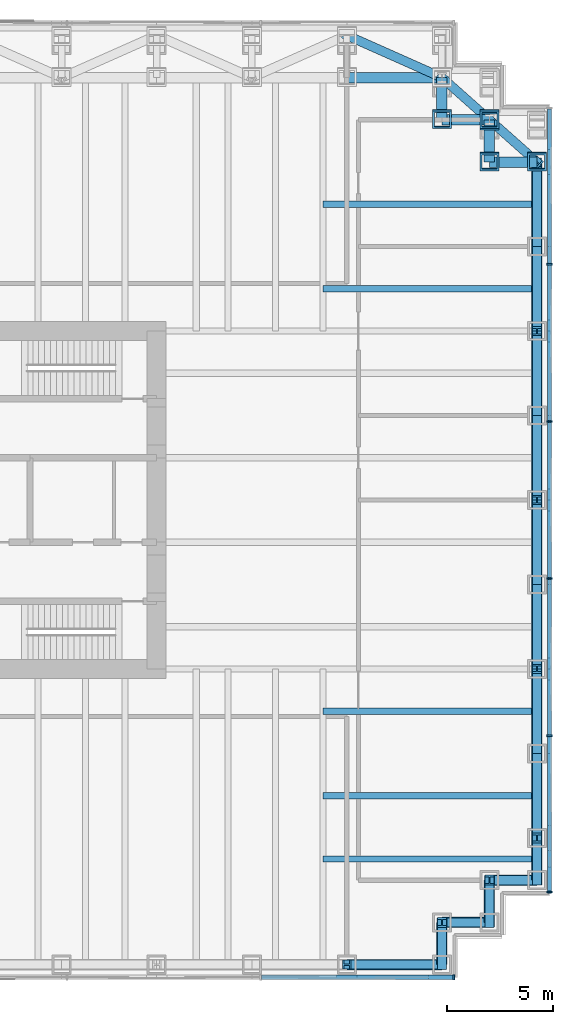
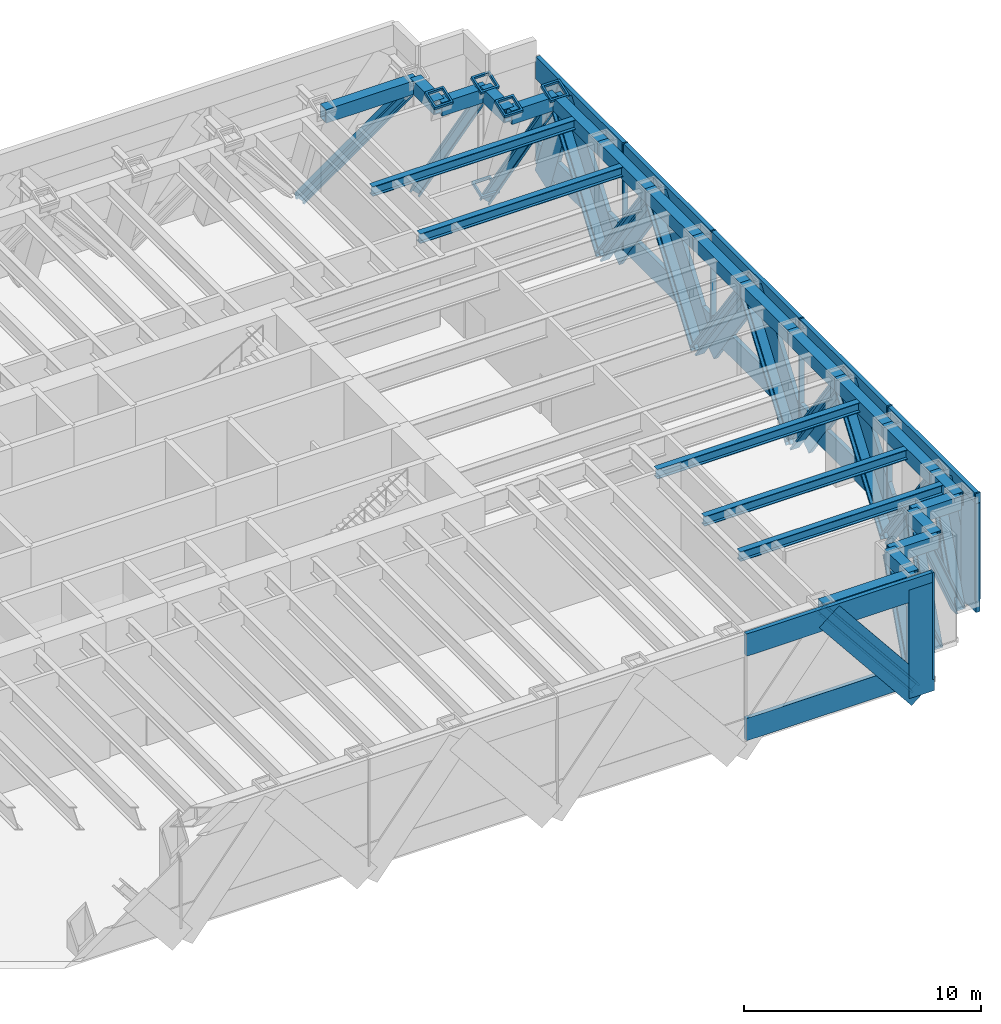
# One storey, part 8 of 16: 53 members, 24 beams, 2 elements without a shape of their own.
"""IFC4 building model written with IfcOpenShell, lengths in metres."""

from ifc_helpers import new_model, si_unit, direction, frame, origin, origin_2d, place, context, subcontext, project, spatial, rectangle, hollow_rectangle, i_section, extrude, material, material_profile, profile_set, type_object, element, aggregate, save


model = new_model("IFC4")

# Units and contexts
model_context = context("Model", 3, precision=1e-05, world=origin(), true_north=direction((0.0, 1.0)))
body_context = subcontext(model_context, "Body", "Model", "MODEL_VIEW")
ifc_project = project(units=[si_unit("LENGTHUNIT", "METRE"), si_unit("AREAUNIT", "SQUARE_METRE"), si_unit("VOLUMEUNIT", "CUBIC_METRE"), si_unit("PLANEANGLEUNIT", "RADIAN"), si_unit("MASSUNIT", "GRAM", prefix="KILO")], contexts=[model_context])

# Site, building, storey
site_placement = place(None, origin())
site = spatial("IfcSite", under=ifc_project, at=site_placement, CompositionType="ELEMENT")
building_placement = place(site_placement, origin())
building = spatial("IfcBuilding", under=site, at=building_placement, Name="Rheinbord Bourse Tower", CompositionType="ELEMENT")
storey_placement = place(building_placement, frame((0.0, 0.0, 180.300048828125)))
storey = spatial("IfcBuildingStorey", under=building, at=storey_placement, Name="L40", CompositionType="ELEMENT", Elevation=180.300048828125)

# Beams
ifc_material_1 = material(Name="Steel S460M", Category="steel")
ifc_material_profile_1 = material_profile(ifc_material_1, hollow_rectangle(XDim=0.5, YDim=0.699951171875, WallThickness=0.0400390625, at=origin_2d()), Name="BOX 700x500x40")
ifc_profile_set_1 = profile_set([ifc_material_profile_1], Name="Steel S460M")
beam_type_1 = type_object("IfcBeamType", Name="BELT CHORD BOX 700x500x40", PredefinedType="SPANDREL", material=ifc_profile_set_1)
beam_1_placement = place(storey_placement, frame((63.0, 2.0, 4.989990234375), z_axis=(1.0, 0.0, 0.0), x_axis=(0.0, 1.0, 0.0)))
element("IfcBeam", 1, at=beam_1_placement, inside=storey, type_object=beam_type_1, Name="Spandrel S-63-SE-E under L41", PredefinedType="SPANDREL", context=body_context, shape_type="SweptSolid", body=[
    extrude(hollow_rectangle(XDim=0.5, YDim=0.699951171875, WallThickness=0.0400390625, at=origin_2d()), origin(), (0.0, 0.0, 1.0), 4.5),
])
beam_2_placement = place(storey_placement, frame((67.5, 2.0, 4.989990234375), z_axis=(0.0, 1.0, 0.0), x_axis=(-1.0, 0.0, 0.0)))
element("IfcBeam", 2, at=beam_2_placement, inside=storey, type_object=beam_type_1, Name="Spandrel SE-E-SE-D under L41", PredefinedType="SPANDREL", context=body_context, shape_type="SweptSolid", body=[
    extrude(hollow_rectangle(XDim=0.5, YDim=0.699951171875, WallThickness=0.0400390625, at=origin_2d()), origin(), (0.0, 0.0, 1.0), 2.0),
])
beam_3_placement = place(storey_placement, frame((67.5, 4.0, 4.989990234375), z_axis=(1.0, 0.0, 0.0), x_axis=(0.0, 1.0, 0.0)))
element("IfcBeam", 3, at=beam_3_placement, inside=storey, type_object=beam_type_1, Name="Spandrel SE-D-SE-C under L41", PredefinedType="SPANDREL", context=body_context, shape_type="SweptSolid", body=[
    extrude(hollow_rectangle(XDim=0.5, YDim=0.699951171875, WallThickness=0.0400390625, at=origin_2d()), origin(), (0.0, 0.0, 1.0), 2.25),
])
beam_4_placement = place(storey_placement, frame((69.75, 4.0, 4.989990234375), z_axis=(0.0, 1.0, 0.0), x_axis=(-1.0, 0.0, 0.0)))
element("IfcBeam", 4, at=beam_4_placement, inside=storey, type_object=beam_type_1, Name="Spandrel SE-C-SE-B under L41", PredefinedType="SPANDREL", context=body_context, shape_type="SweptSolid", body=[
    extrude(hollow_rectangle(XDim=0.5, YDim=0.699951171875, WallThickness=0.0400390625, at=origin_2d()), origin(), (0.0, 0.0, 1.0), 2.0),
])
beam_5_placement = place(storey_placement, frame((69.75, 6.0, 4.989990234375), z_axis=(1.0, 0.0, 0.0), x_axis=(0.0, 1.0, 0.0)))
element("IfcBeam", 5, at=beam_5_placement, inside=storey, type_object=beam_type_1, Name="Spandrel SE-B-SE-A under L41", PredefinedType="SPANDREL", context=body_context, shape_type="SweptSolid", body=[
    extrude(hollow_rectangle(XDim=0.5, YDim=0.699951171875, WallThickness=0.0400390625, at=origin_2d()), origin(), (0.0, 0.0, 1.0), 2.25),
])
beam_6_placement = place(storey_placement, frame((72.0, 6.0, 4.989990234375), z_axis=(0.0, 1.0, 0.0), x_axis=(-1.0, 0.0, 0.0)))
element("IfcBeam", 6, at=beam_6_placement, inside=storey, type_object=beam_type_1, Name="Spandrel SE-A-E-8 under L41", PredefinedType="SPANDREL", context=body_context, shape_type="SweptSolid", body=[
    extrude(hollow_rectangle(XDim=0.5, YDim=0.699951171875, WallThickness=0.0400390625, at=origin_2d()), origin(), (0.0, 0.0, 1.0), 2.0),
])
for number, where, z_axis, x_axis, name in (
    (7, (72.0, 8.0, 4.989990234375), (0.0, 1.0, 0.0), (-1.0, 0.0, 0.0), "Spandrel E-8-E-12 under L41"),
    (8, (72.0, 12.0, 4.989990234375), (0.0, 1.0, 0.0), (-1.0, 0.0, 0.0), "Spandrel E-12-E-16 under L41"),
    (9, (72.0, 16.0, 4.989990234375), (0.0, 1.0, 0.0), (-1.0, 0.0, 0.0), "Spandrel E-16-E-20 under L41"),
    (10, (72.0, 20.0, 4.989990234375), (0.0, 1.0, 0.0), (-1.0, 0.0, 0.0), "Spandrel E-20-E-24 under L41"),
    (11, (72.0, 24.0, 4.989990234375), (0.0, 1.0, 0.0), (-1.0, 0.0, 0.0), "Spandrel E-24-E-28 under L41"),
    (12, (72.0, 28.0, 4.989990234375), (0.0, 1.0, 0.0), (-1.0, 0.0, 0.0), "Spandrel E-28-E-32 under L41"),
    (13, (72.0, 32.0, 4.989990234375), (0.0, 1.0, 0.0), (-1.0, 0.0, 0.0), "Spandrel E-32-E-36 under L41"),
    (14, (72.0, 36.0, 4.989990234375), (0.0, 1.0, 0.0), (-1.0, 0.0, 0.0), "Spandrel E-36-NE-A under L41"),
):
    element("IfcBeam", number, at=place(storey_placement, frame(where, z_axis=z_axis, x_axis=x_axis)), inside=storey, type_object=beam_type_1, Name=name, PredefinedType="SPANDREL", context=body_context, shape_type="SweptSolid", body=[
        extrude(hollow_rectangle(XDim=0.5, YDim=0.699951171875, WallThickness=0.0400390625, at=origin_2d()), origin(), (0.0, 0.0, 1.0), 4.0),
    ])
beam_7_placement = place(storey_placement, frame((72.0, 40.0, 4.989990234375), z_axis=(-1.0, 0.0, 0.0), x_axis=(0.0, -1.0, 0.0)))
element("IfcBeam", 15, at=beam_7_placement, inside=storey, type_object=beam_type_1, Name="Spandrel NE-A-NE-B under L41", PredefinedType="SPANDREL", context=body_context, shape_type="SweptSolid", body=[
    extrude(hollow_rectangle(XDim=0.5, YDim=0.699951171875, WallThickness=0.0400390625, at=origin_2d()), origin(), (0.0, 0.0, 1.0), 2.25),
])
beam_8_placement = place(storey_placement, frame((69.75, 40.0, 4.989990234375), z_axis=(0.0, 1.0, 0.0), x_axis=(-1.0, 0.0, 0.0)))
element("IfcBeam", 16, at=beam_8_placement, inside=storey, type_object=beam_type_1, Name="Spandrel NE-B-NE-C under L41", PredefinedType="SPANDREL", context=body_context, shape_type="SweptSolid", body=[
    extrude(hollow_rectangle(XDim=0.5, YDim=0.699951171875, WallThickness=0.0400390625, at=origin_2d()), origin(), (0.0, 0.0, 1.0), 2.0),
])
beam_9_placement = place(storey_placement, frame((69.75, 42.0, 4.989990234375), z_axis=(-1.0, 0.0, 0.0), x_axis=(0.0, -1.0, 0.0)))
element("IfcBeam", 17, at=beam_9_placement, inside=storey, type_object=beam_type_1, Name="Spandrel NE-C-NE-D under L41", PredefinedType="SPANDREL", context=body_context, shape_type="SweptSolid", body=[
    extrude(hollow_rectangle(XDim=0.5, YDim=0.699951171875, WallThickness=0.0400390625, at=origin_2d()), origin(), (0.0, 0.0, 1.0), 2.25),
])
beam_10_placement = place(storey_placement, frame((67.5, 42.0, 4.989990234375), z_axis=(0.0, 1.0, 0.0), x_axis=(-1.0, 0.0, 0.0)))
element("IfcBeam", 18, at=beam_10_placement, inside=storey, type_object=beam_type_1, Name="Spandrel NE-D-NE-E under L41", PredefinedType="SPANDREL", context=body_context, shape_type="SweptSolid", body=[
    extrude(hollow_rectangle(XDim=0.5, YDim=0.699951171875, WallThickness=0.0400390625, at=origin_2d()), origin(), (0.0, 0.0, 1.0), 2.0),
])
beam_11_placement = place(storey_placement, frame((67.5, 44.0, 4.989990234375), z_axis=(-1.0, 0.0, 0.0), x_axis=(0.0, -1.0, 0.0)))
element("IfcBeam", 19, at=beam_11_placement, inside=storey, type_object=beam_type_1, Name="Spandrel NE-E-N-63 under L41", PredefinedType="SPANDREL", context=body_context, shape_type="SweptSolid", body=[
    extrude(hollow_rectangle(XDim=0.5, YDim=0.699951171875, WallThickness=0.0400390625, at=origin_2d()), origin(), (0.0, 0.0, 1.0), 4.5),
])

# Members
ifc_material_2 = material(Name="Steel S460", Category="steel")
ifc_material_profile_2 = material_profile(ifc_material_2, i_section(OverallWidth=0.431884765625, OverallDepth=0.498046875, WebThickness=0.0556640625, FlangeThickness=0.0888671875, at=origin_2d()), Name="HD 400x744")
ifc_profile_set_2 = profile_set([ifc_material_profile_2], Name="Steel S460")
member_type_1 = type_object("IfcMemberType", Name="BELT DIAGONAL HD 400x744", PredefinedType="STRUT", material=ifc_profile_set_2)
member_1_placement = place(storey_placement, frame((67.5, 2.0, -0.60009765625), z_axis=(-0.627065297878, 0.0, 0.778966695178), x_axis=(0.0, -1.0, 0.0)))
element("IfcMember", 20, at=member_1_placement, inside=storey, type_object=member_type_1, Name="Belt truss diagonal S-63-SE-E L40", PredefinedType="STRUT", context=body_context, shape_type="SweptSolid", body=[
    extrude(i_section(OverallWidth=0.431884765625, OverallDepth=0.498046875, WebThickness=0.0556640625, FlangeThickness=0.0888671875, at=origin_2d()), origin(), (0.0, 0.0, 1.0), 7.17626953125),
])
member_2_placement = place(storey_placement, frame((67.5, 2.0, -0.60009765625), z_axis=(0.0, 0.336865151883, 0.941552903159), x_axis=(-1.0, 0.0, 0.0)))
element("IfcMember", 21, at=member_2_placement, inside=storey, type_object=member_type_1, Name="Belt truss diagonal SE-E-SE-D L40", PredefinedType="STRUT", context=body_context, shape_type="SweptSolid", body=[
    extrude(i_section(OverallWidth=0.431884765625, OverallDepth=0.498046875, WebThickness=0.0556640625, FlangeThickness=0.0888671875, at=origin_2d()), origin(), (0.0, 0.0, 1.0), 5.93701171875),
])
member_3_placement = place(storey_placement, frame((69.75, 4.0, -0.60009765625), z_axis=(-0.37338763268, 0.0, 0.92767541509), x_axis=(0.0, -1.0, 0.0)))
element("IfcMember", 22, at=member_3_placement, inside=storey, type_object=member_type_1, Name="Belt truss diagonal SE-D-SE-C L40", PredefinedType="STRUT", context=body_context, shape_type="SweptSolid", body=[
    extrude(i_section(OverallWidth=0.431884765625, OverallDepth=0.498046875, WebThickness=0.0556640625, FlangeThickness=0.0888671875, at=origin_2d()), origin(), (0.0, 0.0, 1.0), 6.02587890625),
])
member_4_placement = place(storey_placement, frame((69.75, 4.0, -0.60009765625), z_axis=(0.0, 0.336865151883, 0.941552903159), x_axis=(-1.0, 0.0, 0.0)))
element("IfcMember", 23, at=member_4_placement, inside=storey, type_object=member_type_1, Name="Belt truss diagonal SE-C-SE-B L40", PredefinedType="STRUT", context=body_context, shape_type="SweptSolid", body=[
    extrude(i_section(OverallWidth=0.431884765625, OverallDepth=0.498046875, WebThickness=0.0556640625, FlangeThickness=0.0888671875, at=origin_2d()), origin(), (0.0, 0.0, 1.0), 5.93701171875),
])
member_5_placement = place(storey_placement, frame((72.0, 6.0, -0.60009765625), z_axis=(-0.37338763268, 0.0, 0.92767541509), x_axis=(0.0, -1.0, 0.0)))
element("IfcMember", 24, at=member_5_placement, inside=storey, type_object=member_type_1, Name="Belt truss diagonal SE-B-SE-A L40", PredefinedType="STRUT", context=body_context, shape_type="SweptSolid", body=[
    extrude(i_section(OverallWidth=0.431884765625, OverallDepth=0.498046875, WebThickness=0.0556640625, FlangeThickness=0.0888671875, at=origin_2d()), origin(), (0.0, 0.0, 1.0), 6.02587890625),
])
member_6_placement = place(storey_placement, frame((72.0, 6.0, -0.60009765625), z_axis=(0.0, 0.336865151883, 0.941552903159), x_axis=(-1.0, 0.0, 0.0)))
element("IfcMember", 25, at=member_6_placement, inside=storey, type_object=member_type_1, Name="Belt truss diagonal SE-A-E-8 L40", PredefinedType="STRUT", context=body_context, shape_type="SweptSolid", body=[
    extrude(i_section(OverallWidth=0.431884765625, OverallDepth=0.498046875, WebThickness=0.0556640625, FlangeThickness=0.0888671875, at=origin_2d()), origin(), (0.0, 0.0, 1.0), 5.93701171875),
])
for number, where, z_axis, x_axis, name in (
    (26, (72.0, 12.0, -0.60009765625), (0.0, -0.581920023079, 0.813246018582), (1.0, 0.0, 0.0), "Belt truss diagonal E-8-E-12 L40"),
    (27, (72.0, 12.0, -0.60009765625), (0.0, 0.581920023079, 0.813246018582), (-1.0, 0.0, 0.0), "Belt truss diagonal E-12-E-16 L40"),
    (28, (72.0, 20.0, -0.60009765625), (0.0, -0.581920023079, 0.813246018582), (1.0, 0.0, 0.0), "Belt truss diagonal E-16-E-20 L40"),
    (29, (72.0, 20.0, -0.60009765625), (0.0, 0.581920023079, 0.813246018582), (-1.0, 0.0, 0.0), "Belt truss diagonal E-20-E-24 L40"),
    (30, (72.0, 28.0, -0.60009765625), (0.0, -0.581920023079, 0.813246018582), (1.0, 0.0, 0.0), "Belt truss diagonal E-24-E-28 L40"),
    (31, (72.0, 28.0, -0.60009765625), (0.0, 0.581920023079, 0.813246018582), (-1.0, 0.0, 0.0), "Belt truss diagonal E-28-E-32 L40"),
    (32, (72.0, 36.0, -0.60009765625), (0.0, -0.581920023079, 0.813246018582), (1.0, 0.0, 0.0), "Belt truss diagonal E-32-E-36 L40"),
    (33, (72.0, 36.0, -0.60009765625), (0.0, 0.581920023079, 0.813246018582), (-1.0, 0.0, 0.0), "Belt truss diagonal E-36-NE-A L40"),
):
    element("IfcMember", number, at=place(storey_placement, frame(where, z_axis=z_axis, x_axis=x_axis)), inside=storey, type_object=member_type_1, Name=name, PredefinedType="STRUT", context=body_context, shape_type="SweptSolid", body=[
        extrude(i_section(OverallWidth=0.431884765625, OverallDepth=0.498046875, WebThickness=0.0556640625, FlangeThickness=0.0888671875, at=origin_2d()), origin(), (0.0, 0.0, 1.0), 6.873779296875),
    ])
for number, where, z_axis, x_axis, name in (
    (34, (69.75, 42.0, -0.60009765625), (0.35437868618, -0.315003276604, 0.880448001026), (0.66436383883, 0.747409318684, 0.0), "Belt truss diagonal NE-A-NE-B L40"),
    (35, (67.5, 44.0, -0.60009765625), (0.35437868618, -0.315003276604, 0.880448001026), (0.66436383883, 0.747409318684, 0.0), "Belt truss diagonal NE-C-NE-D L40"),
):
    element("IfcMember", number, at=place(storey_placement, frame(where, z_axis=z_axis, x_axis=x_axis)), inside=storey, type_object=member_type_1, Name=name, PredefinedType="STRUT", context=body_context, shape_type="SweptSolid", body=[
        extrude(i_section(OverallWidth=0.431884765625, OverallDepth=0.498046875, WebThickness=0.0556640625, FlangeThickness=0.0888671875, at=origin_2d()), origin(), (0.0, 0.0, 1.0), 6.34912109375),
    ])
member_7_placement = place(storey_placement, frame((63.0, 46.0, -0.60009765625), z_axis=(0.604045441932, -0.268464640859, 0.750370468962), x_axis=(0.406138466053, 0.91381154862, 0.0)))
element("IfcMember", 36, at=member_7_placement, inside=storey, type_object=member_type_1, Name="Belt truss diagonal NE-E-N-63 L40", PredefinedType="STRUT", context=body_context, shape_type="SweptSolid", body=[
    extrude(i_section(OverallWidth=0.431884765625, OverallDepth=0.498046875, WebThickness=0.0556640625, FlangeThickness=0.0888671875, at=origin_2d()), origin(), (0.0, 0.0, 1.0), 7.44970703125),
])

# Curtain wall, members
ifc_material_3 = material(Name="Dark glass and black aluminium", Category="aluminium")
curtain_wall_type = type_object("IfcCurtainWallType", Name="CW5 DARK GLASS CURTAIN WALL", PredefinedType="USERDEFINED", material=ifc_material_3)
curtain_wall_1_placement = place(storey_placement, origin())
curtain_wall_1 = element("IfcCurtainWall", 37, at=curtain_wall_1_placement, inside=storey, type_object=curtain_wall_type, Name="Curtain wall CW5 S L40", ObjectType="UNITISED CURTAIN WALL", PredefinedType="USERDEFINED")
ifc_material_4 = material(Name="Black anodised aluminium", Category="aluminium")
ifc_material_profile_3 = material_profile(ifc_material_4, rectangle(XDim=0.199951171875, YDim=1.259033203125, at=origin_2d()), Name="CW5 DIAGONAL MULLION 1259x200")
ifc_profile_set_3 = profile_set([ifc_material_profile_3], Name="Black anodised aluminium")
member_type_2 = type_object("IfcMemberType", Name="CW5 BLACK DIAGONAL MULLION", PredefinedType="USERDEFINED", material=ifc_profile_set_3)
member_8_placement = place(storey_placement, frame((67.5, 1.39990234375, -0.60009765625), z_axis=(-0.627065297878, 0.0, 0.778966695178), x_axis=(0.0, -1.0, 0.0)))
member_8 = element("IfcMember", 38, at=member_8_placement, type_object=member_type_2, Name="CW5 diagonal mullion belt S-63", ObjectType="DIAGONAL MULLION", PredefinedType="USERDEFINED", context=body_context, shape_type="SweptSolid", body=[
    extrude(rectangle(XDim=0.199951171875, YDim=1.259033203125, at=origin_2d()), origin(), (0.0, 0.0, 1.0), 7.17626953125),
])
member_9_placement = place(storey_placement, frame((67.5, 1.39990234375, -0.60009765625), z_axis=(0.0, 0.0, 1.0), x_axis=(0.0, 1.0, 0.0)))
member_9 = element("IfcMember", 39, at=member_9_placement, type_object=member_type_2, Name="CW5 diagonal mullion belt SE-E", ObjectType="DIAGONAL MULLION", PredefinedType="USERDEFINED", context=body_context, shape_type="SweptSolid", body=[
    extrude(rectangle(XDim=0.199951171875, YDim=1.259033203125, at=origin_2d()), origin(), (0.0, 0.0, 1.0), 5.590087890625),
])

curtain_wall_2_placement = place(storey_placement, origin())
curtain_wall_2 = element("IfcCurtainWall", 40, at=curtain_wall_2_placement, inside=storey, type_object=curtain_wall_type, Name="Curtain wall CW5 E L40", ObjectType="UNITISED CURTAIN WALL", PredefinedType="USERDEFINED")
member_10_placement = place(storey_placement, frame((72.60009765625, 6.0, -0.60009765625), z_axis=(0.0, 0.0, 1.0), x_axis=(-1.0, 0.0, 0.0)))
member_10 = element("IfcMember", 41, at=member_10_placement, type_object=member_type_2, Name="CW5 diagonal mullion belt SE-B", ObjectType="DIAGONAL MULLION", PredefinedType="USERDEFINED", context=body_context, shape_type="SweptSolid", body=[
    extrude(rectangle(XDim=0.199951171875, YDim=1.259033203125, at=origin_2d()), origin(), (0.0, 0.0, 1.0), 5.590087890625),
])
member_11_placement = place(storey_placement, frame((72.60009765625, 6.0, -0.60009765625), z_axis=(0.0, 0.336865151883, 0.941552903159), x_axis=(-1.0, 0.0, 0.0)))
member_11 = element("IfcMember", 42, at=member_11_placement, type_object=member_type_2, Name="CW5 diagonal mullion belt SE-A", ObjectType="DIAGONAL MULLION", PredefinedType="USERDEFINED", context=body_context, shape_type="SweptSolid", body=[
    extrude(rectangle(XDim=0.199951171875, YDim=1.259033203125, at=origin_2d()), origin(), (0.0, 0.0, 1.0), 5.93701171875),
])
member_12_placement = place(storey_placement, frame((72.60009765625, 12.0, -0.60009765625), z_axis=(0.0, -0.581920023079, 0.813246018582), x_axis=(1.0, 0.0, 0.0)))
member_12 = element("IfcMember", 43, at=member_12_placement, type_object=member_type_2, Name="CW5 diagonal mullion belt E-8", ObjectType="DIAGONAL MULLION", PredefinedType="USERDEFINED", context=body_context, shape_type="SweptSolid", body=[
    extrude(rectangle(XDim=0.199951171875, YDim=1.259033203125, at=origin_2d()), origin(), (0.0, 0.0, 1.0), 6.873779296875),
])
member_13_placement = place(storey_placement, frame((72.60009765625, 12.0, -0.60009765625), z_axis=(0.0, 0.581920023079, 0.813246018582), x_axis=(-1.0, 0.0, 0.0)))
member_13 = element("IfcMember", 44, at=member_13_placement, type_object=member_type_2, Name="CW5 diagonal mullion belt E-12", ObjectType="DIAGONAL MULLION", PredefinedType="USERDEFINED", context=body_context, shape_type="SweptSolid", body=[
    extrude(rectangle(XDim=0.199951171875, YDim=1.259033203125, at=origin_2d()), origin(), (0.0, 0.0, 1.0), 6.873779296875),
])
member_14_placement = place(storey_placement, frame((72.60009765625, 20.0, -0.60009765625), z_axis=(0.0, -0.581920023079, 0.813246018582), x_axis=(1.0, 0.0, 0.0)))
member_14 = element("IfcMember", 45, at=member_14_placement, type_object=member_type_2, Name="CW5 diagonal mullion belt E-16", ObjectType="DIAGONAL MULLION", PredefinedType="USERDEFINED", context=body_context, shape_type="SweptSolid", body=[
    extrude(rectangle(XDim=0.199951171875, YDim=1.259033203125, at=origin_2d()), origin(), (0.0, 0.0, 1.0), 6.873779296875),
])
member_15_placement = place(storey_placement, frame((72.60009765625, 20.0, -0.60009765625), z_axis=(0.0, 0.581920023079, 0.813246018582), x_axis=(-1.0, 0.0, 0.0)))
member_15 = element("IfcMember", 46, at=member_15_placement, type_object=member_type_2, Name="CW5 diagonal mullion belt E-20", ObjectType="DIAGONAL MULLION", PredefinedType="USERDEFINED", context=body_context, shape_type="SweptSolid", body=[
    extrude(rectangle(XDim=0.199951171875, YDim=1.259033203125, at=origin_2d()), origin(), (0.0, 0.0, 1.0), 6.873779296875),
])
member_16_placement = place(storey_placement, frame((72.60009765625, 28.0, -0.60009765625), z_axis=(0.0, -0.581920023079, 0.813246018582), x_axis=(1.0, 0.0, 0.0)))
member_16 = element("IfcMember", 47, at=member_16_placement, type_object=member_type_2, Name="CW5 diagonal mullion belt E-24", ObjectType="DIAGONAL MULLION", PredefinedType="USERDEFINED", context=body_context, shape_type="SweptSolid", body=[
    extrude(rectangle(XDim=0.199951171875, YDim=1.259033203125, at=origin_2d()), origin(), (0.0, 0.0, 1.0), 6.873779296875),
])
member_17_placement = place(storey_placement, frame((72.60009765625, 28.0, -0.60009765625), z_axis=(0.0, 0.581920023079, 0.813246018582), x_axis=(-1.0, 0.0, 0.0)))
member_17 = element("IfcMember", 48, at=member_17_placement, type_object=member_type_2, Name="CW5 diagonal mullion belt E-28", ObjectType="DIAGONAL MULLION", PredefinedType="USERDEFINED", context=body_context, shape_type="SweptSolid", body=[
    extrude(rectangle(XDim=0.199951171875, YDim=1.259033203125, at=origin_2d()), origin(), (0.0, 0.0, 1.0), 6.873779296875),
])
member_18_placement = place(storey_placement, frame((72.60009765625, 36.0, -0.60009765625), z_axis=(0.0, -0.581920023079, 0.813246018582), x_axis=(1.0, 0.0, 0.0)))
member_18 = element("IfcMember", 49, at=member_18_placement, type_object=member_type_2, Name="CW5 diagonal mullion belt E-32", ObjectType="DIAGONAL MULLION", PredefinedType="USERDEFINED", context=body_context, shape_type="SweptSolid", body=[
    extrude(rectangle(XDim=0.199951171875, YDim=1.259033203125, at=origin_2d()), origin(), (0.0, 0.0, 1.0), 6.873779296875),
])
member_19_placement = place(storey_placement, frame((72.60009765625, 36.0, -0.60009765625), z_axis=(0.0, 0.581920023079, 0.813246018582), x_axis=(-1.0, 0.0, 0.0)))
member_19 = element("IfcMember", 50, at=member_19_placement, type_object=member_type_2, Name="CW5 diagonal mullion belt E-36", ObjectType="DIAGONAL MULLION", PredefinedType="USERDEFINED", context=body_context, shape_type="SweptSolid", body=[
    extrude(rectangle(XDim=0.199951171875, YDim=1.259033203125, at=origin_2d()), origin(), (0.0, 0.0, 1.0), 6.873779296875),
])
member_20_placement = place(storey_placement, frame((72.60009765625, 42.0, -0.60009765625), z_axis=(0.0, -0.336865151883, 0.941552903159), x_axis=(1.0, 0.0, 0.0)))
member_20 = element("IfcMember", 51, at=member_20_placement, type_object=member_type_2, Name="CW5 diagonal mullion belt NE-A", ObjectType="DIAGONAL MULLION", PredefinedType="USERDEFINED", context=body_context, shape_type="SweptSolid", body=[
    extrude(rectangle(XDim=0.199951171875, YDim=1.259033203125, at=origin_2d()), origin(), (0.0, 0.0, 1.0), 5.93701171875),
])

# Member
ifc_material_5 = material(Name="Black anodised aluminium", Category="aluminium")
ifc_material_profile_4 = material_profile(ifc_material_5, rectangle(XDim=0.25, YDim=0.080078125, at=origin_2d()), Name="CW5 MULLION 80x250")
ifc_profile_set_4 = profile_set([ifc_material_profile_4], Name="Black anodised aluminium")
member_type_3 = type_object("IfcMemberType", Name="CW5 BLACK MULLION", PredefinedType="MULLION", material=ifc_profile_set_4)
member_21_placement = place(storey_placement, frame((68.06005859375, 1.39990234375, 0.0), z_axis=(0.0, 0.0, 1.0), x_axis=(0.0, 1.0, 0.0)))
member_21 = element("IfcMember", 52, at=member_21_placement, type_object=member_type_3, Name="CW5 mullion 8", PredefinedType="MULLION", context=body_context, shape_type="SweptSolid", body=[
    extrude(rectangle(XDim=0.25, YDim=0.080078125, at=origin_2d()), origin(), (0.0, 0.0, 1.0), 5.5),
])

member_22_placement = place(storey_placement, frame((72.60009765625, 5.43994140625, 0.0), z_axis=(0.0, 0.0, 1.0), x_axis=(-1.0, 0.0, 0.0)))
member_22 = element("IfcMember", 53, at=member_22_placement, type_object=member_type_3, Name="CW5 mullion 1", PredefinedType="MULLION", context=body_context, shape_type="SweptSolid", body=[
    extrude(rectangle(XDim=0.25, YDim=0.080078125, at=origin_2d()), origin(), (0.0, 0.0, 1.0), 5.5),
])

member_23_placement = place(storey_placement, frame((72.60009765625, 12.840087890625, 0.0), z_axis=(0.0, 0.0, 1.0), x_axis=(-1.0, 0.0, 0.0)))
member_23 = element("IfcMember", 54, at=member_23_placement, type_object=member_type_3, Name="CW5 mullion 2", PredefinedType="MULLION", context=body_context, shape_type="SweptSolid", body=[
    extrude(rectangle(XDim=0.25, YDim=0.080078125, at=origin_2d()), origin(), (0.0, 0.0, 1.0), 5.5),
])

member_24_placement = place(storey_placement, frame((72.60009765625, 20.280029296875, 0.0), z_axis=(0.0, 0.0, 1.0), x_axis=(-1.0, 0.0, 0.0)))
member_24 = element("IfcMember", 55, at=member_24_placement, type_object=member_type_3, Name="CW5 mullion 3", PredefinedType="MULLION", context=body_context, shape_type="SweptSolid", body=[
    extrude(rectangle(XDim=0.25, YDim=0.080078125, at=origin_2d()), origin(), (0.0, 0.0, 1.0), 5.5),
])

member_25_placement = place(storey_placement, frame((72.60009765625, 27.719970703125, 0.0), z_axis=(0.0, 0.0, 1.0), x_axis=(-1.0, 0.0, 0.0)))
member_25 = element("IfcMember", 56, at=member_25_placement, type_object=member_type_3, Name="CW5 mullion 4", PredefinedType="MULLION", context=body_context, shape_type="SweptSolid", body=[
    extrude(rectangle(XDim=0.25, YDim=0.080078125, at=origin_2d()), origin(), (0.0, 0.0, 1.0), 5.5),
])

member_26_placement = place(storey_placement, frame((72.60009765625, 35.159912109375, 0.0), z_axis=(0.0, 0.0, 1.0), x_axis=(-1.0, 0.0, 0.0)))
member_26 = element("IfcMember", 57, at=member_26_placement, type_object=member_type_3, Name="CW5 mullion 5", PredefinedType="MULLION", context=body_context, shape_type="SweptSolid", body=[
    extrude(rectangle(XDim=0.25, YDim=0.080078125, at=origin_2d()), origin(), (0.0, 0.0, 1.0), 5.5),
])

ifc_material_6 = material(Name="Black anodised aluminium", Category="aluminium")
ifc_material_profile_5 = material_profile(ifc_material_6, rectangle(XDim=0.199951171875, YDim=1.14990234375, at=origin_2d()), Name="CW5 TRANSOM 1150x200")
ifc_profile_set_5 = profile_set([ifc_material_profile_5], Name="Black anodised aluminium")
member_type_4 = type_object("IfcMemberType", Name="CW5 BLACK TRANSOM", PredefinedType="USERDEFINED", material=ifc_profile_set_5)
member_27_placement = place(storey_placement, frame((58.968505859375, 1.39990234375, 0.574951171875), z_axis=(1.0, 0.0, 0.0), x_axis=(0.0, 1.0, 0.0)))
member_27 = element("IfcMember", 58, at=member_27_placement, type_object=member_type_4, Name="CW5 transom 7.1", ObjectType="TRANSOM", PredefinedType="USERDEFINED", context=body_context, shape_type="SweptSolid", body=[
    extrude(rectangle(XDim=0.199951171875, YDim=1.14990234375, at=origin_2d()), origin(), (0.0, 0.0, 1.0), 9.051513671875),
])

member_28_placement = place(storey_placement, frame((58.968505859375, 1.39990234375, 4.925048828125), z_axis=(1.0, 0.0, 0.0), x_axis=(0.0, 1.0, 0.0)))
member_28 = element("IfcMember", 59, at=member_28_placement, type_object=member_type_4, Name="CW5 transom 7.2", ObjectType="TRANSOM", PredefinedType="USERDEFINED", context=body_context, shape_type="SweptSolid", body=[
    extrude(rectangle(XDim=0.199951171875, YDim=1.14990234375, at=origin_2d()), origin(), (0.0, 0.0, 1.0), 9.051513671875),
])

aggregate(curtain_wall_1, [member_21, member_27, member_28, member_8, member_9])

member_29_placement = place(storey_placement, frame((72.60009765625, 5.47998046875, 0.574951171875), z_axis=(0.0, 1.0, 0.0), x_axis=(-1.0, 0.0, 0.0)))
member_29 = element("IfcMember", 60, at=member_29_placement, type_object=member_type_4, Name="CW5 transom 1.1", ObjectType="TRANSOM", PredefinedType="USERDEFINED", context=body_context, shape_type="SweptSolid", body=[
    extrude(rectangle(XDim=0.199951171875, YDim=1.14990234375, at=origin_2d()), origin(), (0.0, 0.0, 1.0), 7.320068359375),
])

member_30_placement = place(storey_placement, frame((72.60009765625, 5.47998046875, 4.925048828125), z_axis=(0.0, 1.0, 0.0), x_axis=(-1.0, 0.0, 0.0)))
member_30 = element("IfcMember", 61, at=member_30_placement, type_object=member_type_4, Name="CW5 transom 1.2", ObjectType="TRANSOM", PredefinedType="USERDEFINED", context=body_context, shape_type="SweptSolid", body=[
    extrude(rectangle(XDim=0.199951171875, YDim=1.14990234375, at=origin_2d()), origin(), (0.0, 0.0, 1.0), 7.320068359375),
])

member_31_placement = place(storey_placement, frame((72.60009765625, 12.8798828125, 0.574951171875), z_axis=(0.0, 1.0, 0.0), x_axis=(-1.0, 0.0, 0.0)))
member_31 = element("IfcMember", 62, at=member_31_placement, type_object=member_type_4, Name="CW5 transom 2.1", ObjectType="TRANSOM", PredefinedType="USERDEFINED", context=body_context, shape_type="SweptSolid", body=[
    extrude(rectangle(XDim=0.199951171875, YDim=1.14990234375, at=origin_2d()), origin(), (0.0, 0.0, 1.0), 7.360107421875),
])

member_32_placement = place(storey_placement, frame((72.60009765625, 12.8798828125, 4.925048828125), z_axis=(0.0, 1.0, 0.0), x_axis=(-1.0, 0.0, 0.0)))
member_32 = element("IfcMember", 63, at=member_32_placement, type_object=member_type_4, Name="CW5 transom 2.2", ObjectType="TRANSOM", PredefinedType="USERDEFINED", context=body_context, shape_type="SweptSolid", body=[
    extrude(rectangle(XDim=0.199951171875, YDim=1.14990234375, at=origin_2d()), origin(), (0.0, 0.0, 1.0), 7.360107421875),
])

member_33_placement = place(storey_placement, frame((72.60009765625, 20.320068359375, 0.574951171875), z_axis=(0.0, 1.0, 0.0), x_axis=(-1.0, 0.0, 0.0)))
member_33 = element("IfcMember", 64, at=member_33_placement, type_object=member_type_4, Name="CW5 transom 3.1", ObjectType="TRANSOM", PredefinedType="USERDEFINED", context=body_context, shape_type="SweptSolid", body=[
    extrude(rectangle(XDim=0.199951171875, YDim=1.14990234375, at=origin_2d()), origin(), (0.0, 0.0, 1.0), 7.35986328125),
])

member_34_placement = place(storey_placement, frame((72.60009765625, 20.320068359375, 4.925048828125), z_axis=(0.0, 1.0, 0.0), x_axis=(-1.0, 0.0, 0.0)))
member_34 = element("IfcMember", 65, at=member_34_placement, type_object=member_type_4, Name="CW5 transom 3.2", ObjectType="TRANSOM", PredefinedType="USERDEFINED", context=body_context, shape_type="SweptSolid", body=[
    extrude(rectangle(XDim=0.199951171875, YDim=1.14990234375, at=origin_2d()), origin(), (0.0, 0.0, 1.0), 7.35986328125),
])

member_35_placement = place(storey_placement, frame((72.60009765625, 27.760009765625, 0.574951171875), z_axis=(0.0, 1.0, 0.0), x_axis=(-1.0, 0.0, 0.0)))
member_35 = element("IfcMember", 66, at=member_35_placement, type_object=member_type_4, Name="CW5 transom 4.1", ObjectType="TRANSOM", PredefinedType="USERDEFINED", context=body_context, shape_type="SweptSolid", body=[
    extrude(rectangle(XDim=0.199951171875, YDim=1.14990234375, at=origin_2d()), origin(), (0.0, 0.0, 1.0), 7.360107421875),
])

member_36_placement = place(storey_placement, frame((72.60009765625, 27.760009765625, 4.925048828125), z_axis=(0.0, 1.0, 0.0), x_axis=(-1.0, 0.0, 0.0)))
member_36 = element("IfcMember", 67, at=member_36_placement, type_object=member_type_4, Name="CW5 transom 4.2", ObjectType="TRANSOM", PredefinedType="USERDEFINED", context=body_context, shape_type="SweptSolid", body=[
    extrude(rectangle(XDim=0.199951171875, YDim=1.14990234375, at=origin_2d()), origin(), (0.0, 0.0, 1.0), 7.360107421875),
])

member_37_placement = place(storey_placement, frame((72.60009765625, 35.199951171875, 0.574951171875), z_axis=(0.0, 1.0, 0.0), x_axis=(-1.0, 0.0, 0.0)))
member_37 = element("IfcMember", 68, at=member_37_placement, type_object=member_type_4, Name="CW5 transom 5.1", ObjectType="TRANSOM", PredefinedType="USERDEFINED", context=body_context, shape_type="SweptSolid", body=[
    extrude(rectangle(XDim=0.199951171875, YDim=1.14990234375, at=origin_2d()), origin(), (0.0, 0.0, 1.0), 7.320068359375),
])

member_38_placement = place(storey_placement, frame((72.60009765625, 35.199951171875, 4.925048828125), z_axis=(0.0, 1.0, 0.0), x_axis=(-1.0, 0.0, 0.0)))
member_38 = element("IfcMember", 69, at=member_38_placement, type_object=member_type_4, Name="CW5 transom 5.2", ObjectType="TRANSOM", PredefinedType="USERDEFINED", context=body_context, shape_type="SweptSolid", body=[
    extrude(rectangle(XDim=0.199951171875, YDim=1.14990234375, at=origin_2d()), origin(), (0.0, 0.0, 1.0), 7.320068359375),
])

aggregate(curtain_wall_2, [member_22, member_23, member_24, member_25, member_26, member_29, member_30, member_31, member_32, member_33, member_34, member_35, member_36, member_37, member_38, member_10, member_11, member_12, member_13, member_14, member_15, member_16, member_17, member_18, member_19, member_20])

# Members
ifc_material_7 = material(Name="Steel S460M", Category="steel")
ifc_material_profile_6 = material_profile(ifc_material_7, hollow_rectangle(XDim=0.89990234375, YDim=0.89990234375, WallThickness=0.090087890625, at=origin_2d()), Name="BOX 900x900x90")
ifc_profile_set_6 = profile_set([ifc_material_profile_6], Name="Steel S460M")
member_type_5 = type_object("IfcMemberType", Name="RAKING NODE PIECE BOX 900x900x90", PredefinedType="USERDEFINED", material=ifc_profile_set_6)
for number, where, z_axis, x_axis, name in (
    (70, (72.0, 40.056396484375, 5.344970703125), (0.0, -0.341861886176, 0.939750206587), (1.0, 0.0, 0.0), "Node piece NE-A L40 head"),
    (71, (69.75, 42.0, 0.0), (0.0, -0.341861886176, 0.939750206587), (1.0, 0.0, 0.0), "Node piece NE-B L40 foot"),
    (72, (69.75, 40.056396484375, 5.344970703125), (0.0, -0.341861886176, 0.939750206587), (1.0, 0.0, 0.0), "Node piece NE-B L40 head"),
    (73, (69.75, 42.056396484375, 5.344970703125), (0.0, -0.341861886176, 0.939750206587), (1.0, 0.0, 0.0), "Node piece NE-C L40 head"),
    (74, (67.5, 42.056396484375, 5.344970703125), (0.0, -0.341861886176, 0.939750206587), (0.0, 0.939750206587, 0.341861886176), "Node piece NE-D L40 head"),
):
    element("IfcMember", number, at=place(storey_placement, frame(where, z_axis=z_axis, x_axis=x_axis)), inside=storey, type_object=member_type_5, Name=name, ObjectType="NODE PIECE", PredefinedType="USERDEFINED", context=body_context, shape_type="SweptSolid", body=[
        extrude(hollow_rectangle(XDim=0.89990234375, YDim=0.89990234375, WallThickness=0.090087890625, at=origin_2d()), origin(), (0.0, 0.0, 1.0), 0.1650390625),
    ])

# Beams
ifc_material_8 = material(Name="Steel S460", Category="steel")
ifc_material_profile_7 = material_profile(ifc_material_8, i_section(OverallWidth=0.300048828125, OverallDepth=0.5, WebThickness=0.014404296875, FlangeThickness=0.028076171875, at=origin_2d()), Name="HEB 500")
ifc_profile_set_7 = profile_set([ifc_material_profile_7], Name="Steel S460")
beam_type_2 = type_object("IfcBeamType", Name="TIE BEAM HEB 500", PredefinedType="JOIST", material=ifc_profile_set_7)
for number, where, z_axis, x_axis, name in (
    (75, (61.875, 7.0, 5.08984375), (1.0, 0.0, 0.0), (0.0, 1.0, 0.0), "Tie east 7 L41"),
    (76, (61.875, 10.0, 5.08984375), (1.0, 0.0, 0.0), (0.0, 1.0, 0.0), "Tie east 10 L41"),
    (77, (61.875, 14.0, 5.08984375), (1.0, 0.0, 0.0), (0.0, 1.0, 0.0), "Tie east 14 L41"),
    (78, (61.875, 34.0, 5.08984375), (1.0, 0.0, 0.0), (0.0, 1.0, 0.0), "Tie east 34 L41"),
    (79, (61.875, 38.0, 5.08984375), (1.0, 0.0, 0.0), (0.0, 1.0, 0.0), "Tie east 38 L41"),
):
    element("IfcBeam", number, at=place(storey_placement, frame(where, z_axis=z_axis, x_axis=x_axis)), inside=storey, type_object=beam_type_2, Name=name, PredefinedType="JOIST", context=body_context, shape_type="SweptSolid", body=[
        extrude(i_section(OverallWidth=0.300048828125, OverallDepth=0.5, WebThickness=0.014404296875, FlangeThickness=0.028076171875, at=origin_2d()), origin(), (0.0, 0.0, 1.0), 10.125),
    ])

save(model, "model.ifc")
